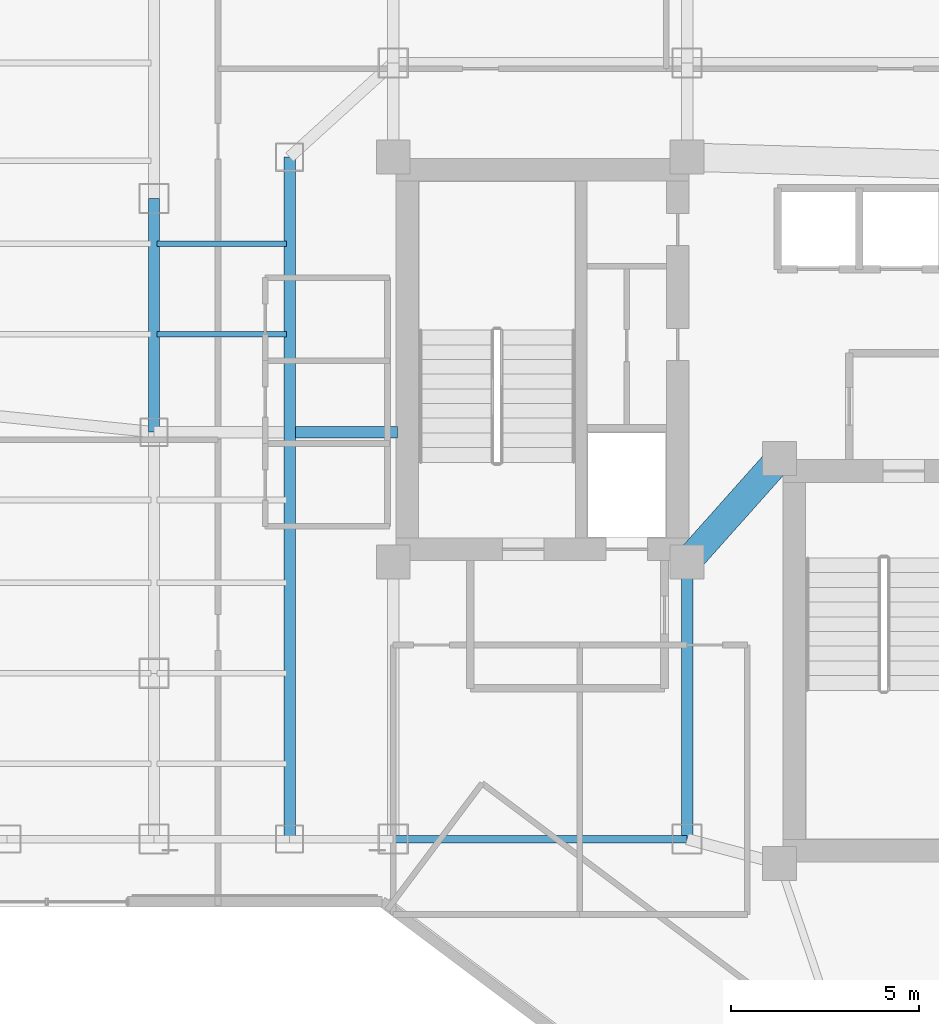
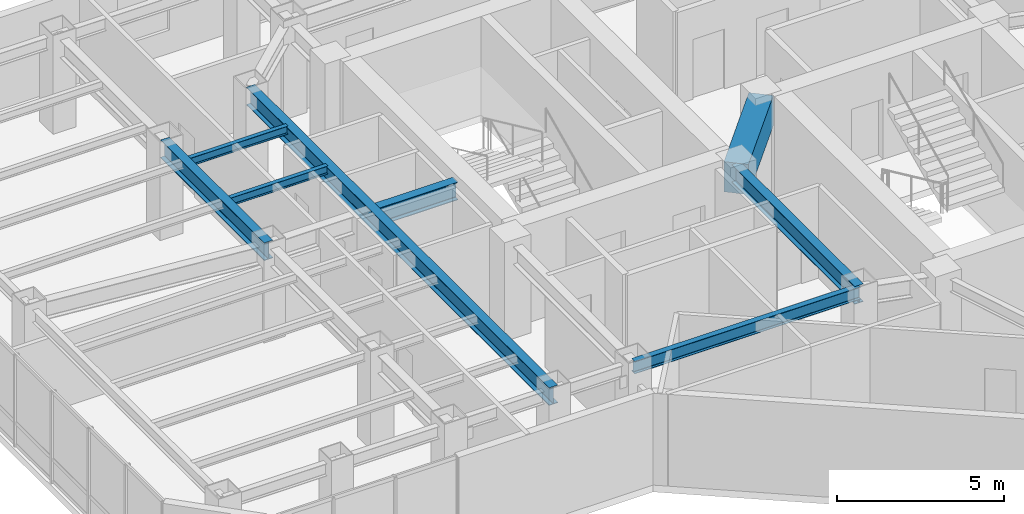
# One storey, part 9 of 27: 8 beams.
"""IFC4 building model written with IfcOpenShell, lengths in metres."""

from ifc_helpers import new_model, si_unit, direction, frame, origin, origin_2d, place, context, subcontext, project, spatial, rectangle, i_section, extrude, material, material_profile, profile_set, type_object, element, save


model = new_model("IFC4")

# Units and contexts
model_context = context("Model", 3, precision=1e-05, world=origin(), true_north=direction((0.0, 1.0)))
body_context = subcontext(model_context, "Body", "Model", "MODEL_VIEW")
ifc_project = project(units=[si_unit("LENGTHUNIT", "METRE"), si_unit("AREAUNIT", "SQUARE_METRE"), si_unit("VOLUMEUNIT", "CUBIC_METRE"), si_unit("PLANEANGLEUNIT", "RADIAN"), si_unit("MASSUNIT", "GRAM", prefix="KILO")], contexts=[model_context])

# Site, building, storey
site_placement = place(None, origin())
site = spatial("IfcSite", under=ifc_project, at=site_placement, CompositionType="ELEMENT")
building_placement = place(site_placement, origin())
building = spatial("IfcBuilding", under=site, at=building_placement, Name="Hatsunagi Terrace Concourse", CompositionType="ELEMENT")
storey_placement = place(building_placement, frame((0.0, 0.0, 174.449951171875)))
storey = spatial("IfcBuildingStorey", under=building, at=storey_placement, Name="L46", CompositionType="ELEMENT", Elevation=174.449951171875)

# Beams
ifc_material_1 = material(Name="Concrete Fc48", Category="concrete")
ifc_material_profile_1 = material_profile(ifc_material_1, rectangle(XDim=0.75, YDim=1.10009765625, at=origin_2d()), Name="RC-750x1100")
ifc_profile_set_1 = profile_set([ifc_material_profile_1], Name="Concrete Fc48")
beam_type_1 = type_object("IfcBeamType", Name="CoreCouplingBeam_RC_750x1100", PredefinedType="BEAM", material=ifc_profile_set_1)
beam_1_placement = place(storey_placement, frame((33.35009765625, 32.550048828125, 2.800048828125), z_axis=(0.665198651008, 0.746666427997, 0.0), x_axis=(-0.746666427997, 0.665198651008, 0.0)))
element("IfcBeam", 1, at=beam_1_placement, inside=storey, type_object=beam_type_1, Name="Beam CB-02 CB-L46-1", PredefinedType="BEAM", context=body_context, shape_type="SweptSolid", body=[
    extrude(rectangle(XDim=0.75, YDim=1.10009765625, at=origin_2d()), origin(), (0.0, 0.0, 1.0), 3.68310546875),
])
ifc_material_2 = material(Name="Steel SN490B", Category="steel")
ifc_material_profile_2 = material_profile(ifc_material_2, i_section(OverallWidth=0.14990234375, OverallDepth=0.300048828125, WebThickness=0.006591796875, FlangeThickness=0.009033203125, FilletRadius=0.010986328125, at=origin_2d()), Name="H-300x150x6.5x9")
ifc_profile_set_2 = profile_set([ifc_material_profile_2], Name="Steel SN490B")
beam_type_2 = type_object("IfcBeamType", Name="OfficeJoist_H_300x150", PredefinedType="JOIST", material=ifc_profile_set_2)
for number, where, z_axis, x_axis, name in (
    (2, (19.284912109375, 38.60009765625, 3.199951171875), (1.0, 0.0, 0.0), (0.0, 1.0, 0.0), "Beam J-03 J-L46-W-19-386"),
    (3, (19.284912109375, 41.0, 3.199951171875), (1.0, 0.0, 0.0), (0.0, 1.0, 0.0), "Beam J-03 J-L46-W-19-410"),
):
    element("IfcBeam", number, at=place(storey_placement, frame(where, z_axis=z_axis, x_axis=x_axis)), inside=storey, type_object=beam_type_2, Name=name, PredefinedType="JOIST", context=body_context, shape_type="SweptSolid", body=[
        extrude(i_section(OverallWidth=0.14990234375, OverallDepth=0.300048828125, WebThickness=0.006591796875, FlangeThickness=0.009033203125, FilletRadius=0.010986328125, at=origin_2d()), origin(), (0.0, 0.0, 1.0), 3.43017578125),
    ])
ifc_material_3 = material(Name="Steel SN490B", Category="steel")
ifc_material_profile_3 = material_profile(ifc_material_3, i_section(OverallWidth=0.300048828125, OverallDepth=0.64990234375, WebThickness=0.012939453125, FlangeThickness=0.02197265625, FilletRadius=0.01806640625, at=origin_2d()), Name="H-650x300x13x22")
ifc_profile_set_3 = profile_set([ifc_material_profile_3], Name="Steel SN490B")
beam_type_3 = type_object("IfcBeamType", Name="OfficeLowGirder_H_650x300", PredefinedType="BEAM", material=ifc_profile_set_3)
beam_2_placement = place(storey_placement, frame((33.35009765625, 25.199951171875, 3.025146484375), z_axis=(0.0, 1.0, 0.0), x_axis=(-1.0, 0.0, 0.0)))
element("IfcBeam", 4, at=beam_2_placement, inside=storey, type_object=beam_type_3, Name="Beam G-05 BM-L46-K2CA", PredefinedType="BEAM", context=body_context, shape_type="SweptSolid", body=[
    extrude(i_section(OverallWidth=0.300048828125, OverallDepth=0.64990234375, WebThickness=0.012939453125, FlangeThickness=0.02197265625, FilletRadius=0.01806640625, at=origin_2d()), origin(), (0.0, 0.0, 1.0), 7.35009765625),
])
beam_3_placement = place(storey_placement, frame((22.800048828125, 25.199951171875, 3.025146484375), z_axis=(0.0, 1.0, 0.0), x_axis=(-1.0, 0.0, 0.0)))
element("IfcBeam", 5, at=beam_3_placement, inside=storey, type_object=beam_type_3, Name="Beam G-05 BM-L46-CWNS", PredefinedType="BEAM", context=body_context, shape_type="SweptSolid", body=[
    extrude(i_section(OverallWidth=0.300048828125, OverallDepth=0.64990234375, WebThickness=0.012939453125, FlangeThickness=0.02197265625, FilletRadius=0.01806640625, at=origin_2d()), origin(), (0.0, 0.0, 1.0), 18.10009765625),
])
beam_4_placement = place(storey_placement, frame((19.199951171875, 36.0, 3.025146484375), z_axis=(0.0, 1.0, 0.0), x_axis=(-1.0, 0.0, 0.0)))
element("IfcBeam", 6, at=beam_4_placement, inside=storey, type_object=beam_type_3, Name="Beam G-05 BM-L46-NS-19-36", PredefinedType="BEAM", context=body_context, shape_type="SweptSolid", body=[
    extrude(i_section(OverallWidth=0.300048828125, OverallDepth=0.64990234375, WebThickness=0.012939453125, FlangeThickness=0.02197265625, FilletRadius=0.01806640625, at=origin_2d()), origin(), (0.0, 0.0, 1.0), 6.199951171875),
])
beam_5_placement = place(storey_placement, frame((22.949951171875, 36.0, 3.025146484375), z_axis=(1.0, 0.0, 0.0), x_axis=(0.0, 1.0, 0.0)))
element("IfcBeam", 7, at=beam_5_placement, inside=storey, type_object=beam_type_3, Name="Beam G-05 BM-L46-EW-4", PredefinedType="BEAM", context=body_context, shape_type="SweptSolid", body=[
    extrude(i_section(OverallWidth=0.300048828125, OverallDepth=0.64990234375, WebThickness=0.012939453125, FlangeThickness=0.02197265625, FilletRadius=0.01806640625, at=origin_2d()), origin(), (0.0, 0.0, 1.0), 2.7099609375),
])
ifc_material_4 = material(Name="Steel SN490B", Category="steel")
ifc_material_profile_4 = material_profile(ifc_material_4, i_section(OverallWidth=0.199951171875, OverallDepth=0.449951171875, WebThickness=0.009033203125, FlangeThickness=0.013916015625, FilletRadius=0.01611328125, at=origin_2d()), Name="H-450x200x9x14")
ifc_profile_set_4 = profile_set([ifc_material_profile_4], Name="Steel SN490B")
beam_type_4 = type_object("IfcBeamType", Name="PerimeterSpandrel_H_450x200", PredefinedType="SPANDREL", material=ifc_profile_set_4)
beam_6_placement = place(storey_placement, frame((25.550048828125, 25.199951171875, 3.125), z_axis=(1.0, 0.0, 0.0), x_axis=(0.0, 1.0, 0.0)))
element("IfcBeam", 8, at=beam_6_placement, inside=storey, type_object=beam_type_4, Name="Beam SP-02 BM-L46-WS-25", PredefinedType="SPANDREL", context=body_context, shape_type="SweptSolid", body=[
    extrude(i_section(OverallWidth=0.199951171875, OverallDepth=0.449951171875, WebThickness=0.009033203125, FlangeThickness=0.013916015625, FilletRadius=0.01611328125, at=origin_2d()), origin(), (0.0, 0.0, 1.0), 7.800048828125),
])

save(model, "model.ifc")
